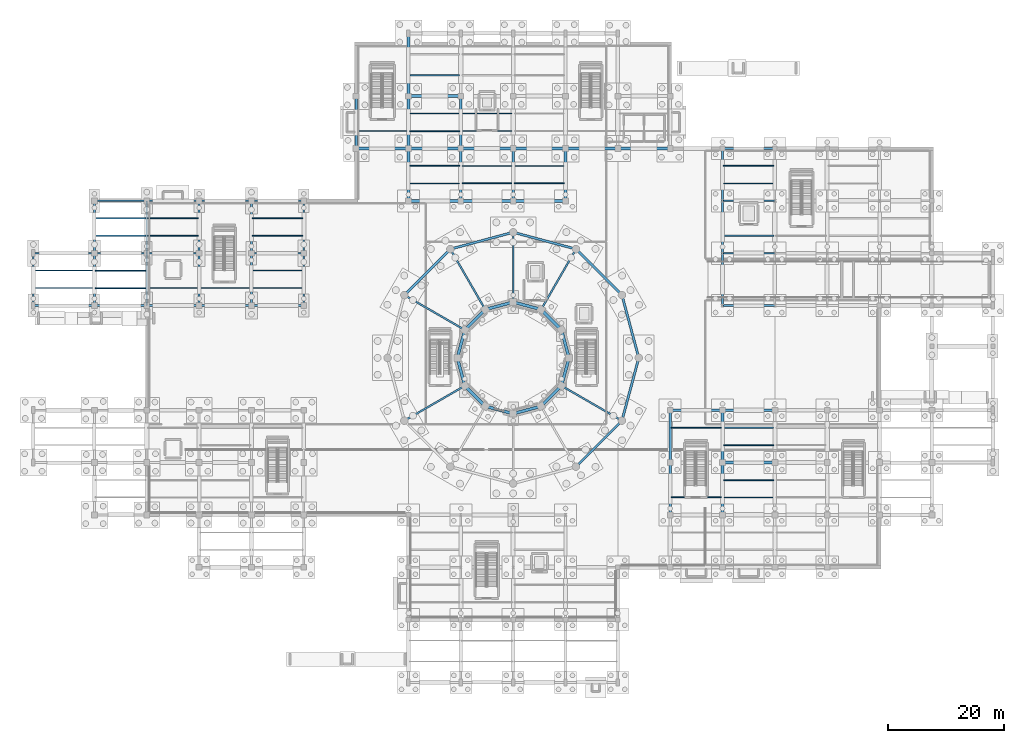
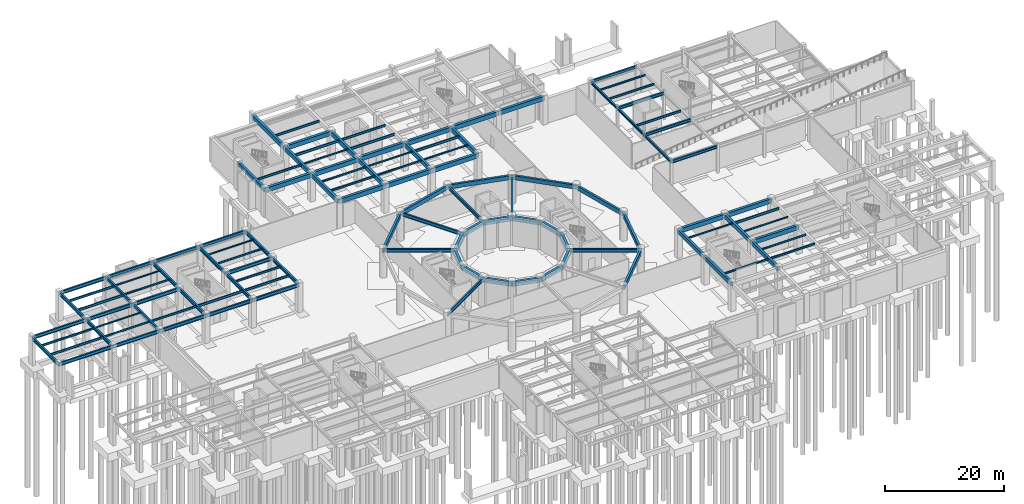
# One storey, part 14 of 36: 116 beams.
"""IFC4 building model written with IfcOpenShell, lengths in metres."""

import ifcopenshell
import ifcopenshell.guid

model = None  # the IFC model being written
_history = None  # IfcOwnerHistory: only IFC2X3 demands one
_inside = {}  # id of a spatial element -> (the spatial element, [elements in it])
_under = {}  # id of a project, library or spatial element -> (it, [spatial elements below it])
_declared = {}  # id of a project -> (the project, [libraries it declares])
_typed = {}  # id of a type object -> (the type object, [elements of that type])
_made_of = {}  # id of a material, layer set ... -> (it, [elements and type objects made of it])


def new_model(schema):
    """Start an empty IFC model of exactly this schema.

    Asked for "IFC4X3", IfcOpenShell would pick the latest addendum, in which some entities
    have other attributes; the version numbers below select the first issue.
    IFC2X3 requires an IfcOwnerHistory on every rooted entity: one is made here for all.
    """
    global model, _history
    if schema == "IFC4X3":
        model = ifcopenshell.file(schema_version=(4, 3, 0, 0))
    else:
        model = ifcopenshell.file(schema=schema)
    _inside.clear()
    _under.clear()
    _declared.clear()
    _typed.clear()
    _made_of.clear()
    _history = None
    if model.schema == "IFC2X3":
        org = make("IfcOrganization", Name="unknown")
        user = make(
            "IfcPersonAndOrganization",
            ThePerson=make("IfcPerson", FamilyName="unknown"),
            TheOrganization=org,
        )
        app = make(
            "IfcApplication",
            ApplicationDeveloper=org,
            Version="unknown",
            ApplicationFullName="unknown",
            ApplicationIdentifier="unknown",
        )
        _history = make(
            "IfcOwnerHistory",
            OwningUser=user,
            OwningApplication=app,
            ChangeAction="ADDED",
            CreationDate=0,
        )
    return model


def make(cls, **values):
    """One entity of the class cls with the attributes given. An attribute that is None is left unset."""
    return model.create_entity(
        cls, **{name: value for name, value in values.items() if value is not None}
    )


def rooted(cls, **values):
    """An entity with a GlobalId (a new one), such as an element, a storey or a relation."""
    return make(cls, GlobalId=ifcopenshell.guid.new(), OwnerHistory=_history, **values)


def si_unit(unit_type, name, prefix=None):
    """IfcSIUnit, for example si_unit("LENGTHUNIT", "METRE", prefix="MILLI")."""
    return make("IfcSIUnit", UnitType=unit_type, Prefix=prefix, Name=name)


def assignment(units):
    """IfcUnitAssignment: the units of a project."""
    return None if units is None else make("IfcUnitAssignment", Units=units)


def point(xyz):
    """IfcCartesianPoint."""
    return None if xyz is None else make("IfcCartesianPoint", Coordinates=xyz)


def direction(xyz):
    """IfcDirection."""
    return None if xyz is None else make("IfcDirection", DirectionRatios=xyz)


def frame(location, z_axis=None, x_axis=None):
    """IfcAxis2Placement3D, a coordinate frame: its origin and axes. An axis left out is left unset."""
    return make(
        "IfcAxis2Placement3D",
        Location=point(location),
        Axis=direction(z_axis),
        RefDirection=direction(x_axis),
    )


def frame_2d(location, x_axis=None):
    """IfcAxis2Placement2D, a coordinate frame in the plane: its origin and x axis."""
    return make(
        "IfcAxis2Placement2D", Location=point(location), RefDirection=direction(x_axis)
    )


def origin():
    """The frame at (0, 0, 0) with its axes left unset."""
    return frame((0.0, 0.0, 0.0))


def origin_2d():
    """The frame at (0, 0) in the plane with its x axis left unset."""
    return frame_2d((0.0, 0.0))


def place(relative_to, where):
    """IfcLocalPlacement: puts the frame where relative to a parent placement (None: the world)."""
    return make(
        "IfcLocalPlacement", PlacementRelTo=relative_to, RelativePlacement=where
    )


def context(
    kind, dimensions, precision=None, world=None, true_north=None, identifier=None
):
    """IfcGeometricRepresentationContext, for example the 3D "Model" context."""
    return make(
        "IfcGeometricRepresentationContext",
        ContextIdentifier=identifier,
        ContextType=kind,
        CoordinateSpaceDimension=dimensions,
        Precision=precision,
        WorldCoordinateSystem=world,
        TrueNorth=true_north,
    )


def subcontext(parent, identifier, kind, view, scale=None):
    """IfcGeometricRepresentationSubContext, for example "Body" below "Model"."""
    return make(
        "IfcGeometricRepresentationSubContext",
        ContextIdentifier=identifier,
        ContextType=kind,
        ParentContext=parent,
        TargetScale=scale,
        TargetView=view,
    )


def project(units=None, contexts=None):
    """IfcProject with its units and contexts."""
    return rooted(
        "IfcProject",
        Name="project",
        RepresentationContexts=contexts,
        UnitsInContext=assignment(units),
    )


def spatial(cls, under=None, at=None, **own):
    """A site, building, storey or space (cls), placed at a placement, below another one or the project."""
    s = rooted(cls, ObjectPlacement=at, **own)
    if under is not None:
        _under.setdefault(under.id(), (under, []))[1].append(s)
    return s


def profile(cls, at=None, kind="AREA", **sizes):
    """A parametric profile (cls). Its sizes go by their IFC names, for example OverallWidth=200.0."""
    return make(cls, ProfileType=kind, Position=at, **sizes)


def rectangle(**sizes):
    """IfcRectangleProfileDef."""
    return profile("IfcRectangleProfileDef", **sizes)


def i_section(**sizes):
    """IfcIShapeProfileDef."""
    return profile("IfcIShapeProfileDef", **sizes)


def extrude(swept, where, along, depth):
    """IfcExtrudedAreaSolid: the profile swept, set in the frame where, extruded along a direction by depth."""
    return make(
        "IfcExtrudedAreaSolid",
        SweptArea=swept,
        Position=where,
        ExtrudedDirection=direction(along),
        Depth=depth,
    )


def shape(context_of_items, identifier, shape_type, items):
    """IfcShapeRepresentation: the items that make up one representation, for example the "Body"."""
    return make(
        "IfcShapeRepresentation",
        ContextOfItems=context_of_items,
        RepresentationIdentifier=identifier,
        RepresentationType=shape_type,
        Items=items,
    )


def material(Name=None, Category=None):
    """IfcMaterial."""
    return make("IfcMaterial", Name=Name, Category=Category)


def material_profile(
    of_material, cross_section, Name=None, Category=None, Priority=None
):
    """IfcMaterialProfile: a cross section and its material."""
    return make(
        "IfcMaterialProfile",
        Name=Name,
        Material=of_material,
        Profile=cross_section,
        Priority=Priority,
        Category=Category,
    )


def profile_set(profiles, Name=None, composite=None):
    """IfcMaterialProfileSet."""
    return make(
        "IfcMaterialProfileSet",
        Name=Name,
        MaterialProfiles=profiles,
        CompositeProfile=composite,
    )


def made_of(thing, what):
    """Note that an element or type object is made of a material, layer set ...; save() writes the relation."""
    if what is not None:
        _made_of.setdefault(what.id(), (what, []))[1].append(thing)
    return thing


def type_object(cls, material=None, **own):
    """A type object (cls), such as IfcWallType, which elements share."""
    return made_of(rooted(cls, **own), material)


def element(
    cls,
    number,
    at=None,
    inside=None,
    cuts=None,
    type_object=None,
    material=None,
    context=None,
    identifier="Body",
    shape_type=None,
    held_by="IfcProductDefinitionShape",
    body=None,
    shapes=None,
    **own,
):
    """One element of the class cls, such as IfcWall. Its Tag is "e" and its number.

    at: its placement. inside: the storey or other place that contains it. cuts: it is an
    opening in that element (IfcRelVoidsElement). A single representation is given by context,
    identifier, shape_type and body (its items); several are given by shapes. held_by: the class
    of the entity that holds the representations. save() writes the other relations.
    """
    e = rooted(cls, Tag="e%d" % number, ObjectPlacement=at, **own)
    if body is not None:
        shapes = [shape(context, identifier, shape_type, body)]
    if shapes is not None:
        e.Representation = make(held_by, Representations=shapes)
    if inside is not None:
        _inside.setdefault(inside.id(), (inside, []))[1].append(e)
    if cuts is not None:
        rooted(
            "IfcRelVoidsElement", RelatingBuildingElement=cuts, RelatedOpeningElement=e
        )
    if type_object is not None:
        _typed.setdefault(type_object.id(), (type_object, []))[1].append(e)
    return made_of(e, material)


def aggregate(whole, parts):
    """IfcRelAggregates: a whole, such as a stair, and the parts it consists of."""
    return rooted("IfcRelAggregates", RelatingObject=whole, RelatedObjects=parts)


def save(model, path):
    """Write the relations noted so far, then the file.

    IfcRelAggregates (storeys below a building ...), IfcRelContainedInSpatialStructure (elements
    in a storey), IfcRelDefinesByType, IfcRelAssociatesMaterial and IfcRelDeclares: one each for
    every whole, place, type object, material and project.
    """
    for whole, parts in _under.values():
        aggregate(whole, parts)
    for where, things in _inside.values():
        rooted(
            "IfcRelContainedInSpatialStructure",
            RelatedElements=things,
            RelatingStructure=where,
        )
    for kind, things in _typed.values():
        rooted("IfcRelDefinesByType", RelatedObjects=things, RelatingType=kind)
    for what, things in _made_of.values():
        rooted("IfcRelAssociatesMaterial", RelatedObjects=things, RelatingMaterial=what)
    for by, libraries in _declared.values():
        rooted("IfcRelDeclares", RelatingContext=by, RelatedDefinitions=libraries)
    model.write(path)


model = new_model("IFC4")

# Units and contexts
model_context = context("Model", 3, precision=1e-05, world=origin(), true_north=direction((0.0, 1.0)))
body_context = subcontext(model_context, "Body", "Model", "MODEL_VIEW")
ifc_project = project(units=[si_unit("LENGTHUNIT", "METRE"), si_unit("AREAUNIT", "SQUARE_METRE"), si_unit("VOLUMEUNIT", "CUBIC_METRE"), si_unit("PLANEANGLEUNIT", "RADIAN"), si_unit("MASSUNIT", "GRAM", prefix="KILO")], contexts=[model_context])

# Site, building, storey
site_placement = place(None, origin())
site = spatial("IfcSite", under=ifc_project, at=site_placement, CompositionType="ELEMENT")
building_placement = place(site_placement, origin())
building = spatial("IfcBuilding", under=site, at=building_placement, Name="Haizhuo Lancet Aquarium", CompositionType="ELEMENT")
storey_placement = place(building_placement, frame((0.0, 0.0, -6.0)))
storey = spatial("IfcBuildingStorey", under=building, at=storey_placement, Name="B1", CompositionType="ELEMENT", Elevation=-6.0)

# Beams
ifc_material_1 = material(Name="Concrete C40/50", Category="concrete")
ifc_material_profile_1 = material_profile(ifc_material_1, rectangle(XDim=0.449951171875, YDim=0.85009765625, at=origin_2d()), Name="RC-BM 450x850")
ifc_profile_set_1 = profile_set([ifc_material_profile_1], Name="Concrete C40/50")
beam_type_1 = type_object("IfcBeamType", Name="BM-RC-450x850", PredefinedType="BEAM", material=ifc_profile_set_1)
for number, where, z_axis, x_axis, name in (
    (1, (27.0, -27.0, 5.27490234375), (0.0, 1.0, 0.0), (-1.0, 0.0, 0.0), "B1 V3 primary girder BM-B1-V3-003"),
    (2, (27.0, -18.0, 5.27490234375), (0.0, 1.0, 0.0), (-1.0, 0.0, 0.0), "B1 V3 primary girder BM-B1-V3-005"),
    (3, (36.0, -27.0, 5.27490234375), (0.0, 1.0, 0.0), (-1.0, 0.0, 0.0), "B1 V3 primary girder BM-B1-V3-009"),
    (4, (36.0, -18.0, 5.27490234375), (0.0, 1.0, 0.0), (-1.0, 0.0, 0.0), "B1 V3 primary girder BM-B1-V3-011"),
    (5, (-27.0, 36.0, 5.27490234375), (0.0, 1.0, 0.0), (-1.0, 0.0, 0.0), "B1 V5 primary girder BM-B1-V5-001"),
    (6, (-18.0, 27.0, 5.27490234375), (0.0, 1.0, 0.0), (-1.0, 0.0, 0.0), "B1 V5 primary girder BM-B1-V5-003"),
    (7, (-18.0, 36.0, 5.27490234375), (0.0, 1.0, 0.0), (-1.0, 0.0, 0.0), "B1 V5 primary girder BM-B1-V5-005"),
):
    element("IfcBeam", number, at=place(storey_placement, frame(where, z_axis=z_axis, x_axis=x_axis)), inside=storey, type_object=beam_type_1, Name=name, PredefinedType="BEAM", context=body_context, shape_type="SweptSolid", body=[
        extrude(rectangle(XDim=0.449951171875, YDim=0.85009765625, at=origin_2d()), origin(), (0.0, 0.0, 1.0), 9.0),
    ])
beam_1_placement = place(storey_placement, frame((-18.0, 45.0, 5.27490234375), z_axis=(0.0, 1.0, 0.0), x_axis=(-1.0, 0.0, 0.0)))
element("IfcBeam", 8, at=beam_1_placement, inside=storey, type_object=beam_type_1, Name="B1 V5 primary girder BM-B1-V5-007", PredefinedType="BEAM", context=body_context, shape_type="SweptSolid", body=[
    extrude(rectangle(XDim=0.449951171875, YDim=0.85009765625, at=origin_2d()), origin(), (0.0, 0.0, 1.0), 10.800048828125),
])
for number, where, z_axis, x_axis, name in (
    (9, (-9.0, 27.0, 5.27490234375), (0.0, 1.0, 0.0), (-1.0, 0.0, 0.0), "B1 V5 primary girder BM-B1-V5-010"),
    (10, (-9.0, 36.0, 5.27490234375), (0.0, 1.0, 0.0), (-1.0, 0.0, 0.0), "B1 V5 primary girder BM-B1-V5-012"),
    (11, (0.0, 27.0, 5.27490234375), (0.0, 1.0, 0.0), (-1.0, 0.0, 0.0), "B1 V5 primary girder BM-B1-V5-016"),
    (12, (9.0, 27.0, 5.27490234375), (0.0, 1.0, 0.0), (-1.0, 0.0, 0.0), "B1 V5 primary girder BM-B1-V5-023"),
):
    element("IfcBeam", number, at=place(storey_placement, frame(where, z_axis=z_axis, x_axis=x_axis)), inside=storey, type_object=beam_type_1, Name=name, PredefinedType="BEAM", context=body_context, shape_type="SweptSolid", body=[
        extrude(rectangle(XDim=0.449951171875, YDim=0.85009765625, at=origin_2d()), origin(), (0.0, 0.0, 1.0), 9.0),
    ])
ifc_material_profile_2 = material_profile(ifc_material_1, rectangle(XDim=0.5, YDim=0.89990234375, at=origin_2d()), Name="RC-BM 500x900")
ifc_profile_set_2 = profile_set([ifc_material_profile_2], Name="Concrete C40/50")
beam_type_2 = type_object("IfcBeamType", Name="BM-RC-500x900", PredefinedType="BEAM", material=ifc_profile_set_2)
for number, where, z_axis, x_axis, name in (
    (13, (9.60009765625, 0.0, 5.14990234375), (-0.258812211902, 0.965927657214, 0.0), (-0.965927657214, -0.258812211902, 0.0), "B1 tank ring beam 1"),
    (14, (8.31396484375, 4.800048828125, 5.14990234375), (-0.707106781187, 0.707106781187, 0.0), (-0.707106781187, -0.707106781187, 0.0), "B1 tank ring beam 2"),
    (15, (4.800048828125, 8.31396484375, 5.14990234375), (-0.965927657214, 0.258812211902, 0.0), (-0.258812211902, -0.965927657214, 0.0), "B1 tank ring beam 3"),
    (16, (0.0, 9.60009765625, 5.14990234375), (-0.965927657214, -0.258812211902, 0.0), (0.258812211902, -0.965927657214, 0.0), "B1 tank ring beam 4"),
    (17, (-4.800048828125, 8.31396484375, 5.14990234375), (-0.707106781187, -0.707106781187, 0.0), (0.707106781187, -0.707106781187, 0.0), "B1 tank ring beam 5"),
    (18, (-8.31396484375, 4.800048828125, 5.14990234375), (-0.258812211902, -0.965927657214, 0.0), (0.965927657214, -0.258812211902, 0.0), "B1 tank ring beam 6"),
    (19, (-9.60009765625, 0.0, 5.14990234375), (0.258812211902, -0.965927657214, 0.0), (0.965927657214, 0.258812211902, 0.0), "B1 tank ring beam 7"),
    (20, (-8.31396484375, -4.800048828125, 5.14990234375), (0.707106781187, -0.707106781187, 0.0), (0.707106781187, 0.707106781187, 0.0), "B1 tank ring beam 8"),
    (21, (-4.800048828125, -8.31396484375, 5.14990234375), (0.965927657214, -0.258812211902, 0.0), (0.258812211902, 0.965927657214, 0.0), "B1 tank ring beam 9"),
    (22, (0.0, -9.60009765625, 5.14990234375), (0.965927657214, 0.258812211902, 0.0), (-0.258812211902, 0.965927657214, 0.0), "B1 tank ring beam 10"),
    (23, (4.800048828125, -8.31396484375, 5.14990234375), (0.707106781187, 0.707106781187, 0.0), (-0.707106781187, 0.707106781187, 0.0), "B1 tank ring beam 11"),
    (24, (8.31396484375, -4.800048828125, 5.14990234375), (0.258812211902, 0.965927657214, 0.0), (-0.965927657214, 0.258812211902, 0.0), "B1 tank ring beam 12"),
):
    element("IfcBeam", number, at=place(storey_placement, frame(where, z_axis=z_axis, x_axis=x_axis)), inside=storey, type_object=beam_type_2, Name=name, PredefinedType="BEAM", context=body_context, shape_type="SweptSolid", body=[
        extrude(rectangle(XDim=0.5, YDim=0.89990234375, at=origin_2d()), origin(), (0.0, 0.0, 1.0), 4.969482421875),
    ])
for number, where, z_axis, x_axis, name in (
    (25, (27.0, -9.0, 5.25), (1.0, 0.0, 0.0), (0.0, 1.0, 0.0), "B1 V3 primary girder BM-B1-V3-006"),
    (26, (36.0, -18.0, 5.25), (1.0, 0.0, 0.0), (0.0, 1.0, 0.0), "B1 V3 primary girder BM-B1-V3-012"),
    (27, (36.0, -9.0, 5.25), (1.0, 0.0, 0.0), (0.0, 1.0, 0.0), "B1 V3 primary girder BM-B1-V3-013"),
    (28, (-27.0, 36.0, 5.25), (1.0, 0.0, 0.0), (0.0, 1.0, 0.0), "B1 V5 primary girder BM-B1-V5-002"),
    (29, (-18.0, 27.0, 5.25), (1.0, 0.0, 0.0), (0.0, 1.0, 0.0), "B1 V5 primary girder BM-B1-V5-004"),
    (30, (-18.0, 36.0, 5.25), (1.0, 0.0, 0.0), (0.0, 1.0, 0.0), "B1 V5 primary girder BM-B1-V5-006"),
    (31, (-18.0, 45.0, 5.25), (1.0, 0.0, 0.0), (0.0, 1.0, 0.0), "B1 V5 primary girder BM-B1-V5-008"),
    (32, (-9.0, 27.0, 5.25), (1.0, 0.0, 0.0), (0.0, 1.0, 0.0), "B1 V5 primary girder BM-B1-V5-011"),
    (33, (-9.0, 36.0, 5.25), (1.0, 0.0, 0.0), (0.0, 1.0, 0.0), "B1 V5 primary girder BM-B1-V5-013"),
    (34, (0.0, 27.0, 5.25), (1.0, 0.0, 0.0), (0.0, 1.0, 0.0), "B1 V5 primary girder BM-B1-V5-017"),
    (35, (0.0, 36.0, 5.25), (1.0, 0.0, 0.0), (0.0, 1.0, 0.0), "B1 V5 primary girder BM-B1-V5-019"),
    (36, (9.0, 36.0, 5.25), (1.0, 0.0, 0.0), (0.0, 1.0, 0.0), "B1 V5 primary girder BM-B1-V5-025"),
    (37, (18.0, 36.0, 5.25), (1.0, 0.0, 0.0), (0.0, 1.0, 0.0), "B1 V5 primary girder BM-B1-V5-029"),
):
    element("IfcBeam", number, at=place(storey_placement, frame(where, z_axis=z_axis, x_axis=x_axis)), inside=storey, type_object=beam_type_2, Name=name, PredefinedType="BEAM", context=body_context, shape_type="SweptSolid", body=[
        extrude(rectangle(XDim=0.5, YDim=0.89990234375, at=origin_2d()), origin(), (0.0, 0.0, 1.0), 9.0),
    ])
ifc_material_2 = material(Name="Steel S355", Category="steel")
ifc_material_profile_3 = material_profile(ifc_material_2, i_section(OverallWidth=0.300048828125, OverallDepth=0.488037109375, WebThickness=0.010986328125, FlangeThickness=0.01806640625, FilletRadius=0.02392578125, at=origin_2d()), Name="HM 488x300x11x18")
ifc_profile_set_3 = profile_set([ifc_material_profile_3], Name="Steel S355")
beam_type_3 = type_object("IfcBeamType", Name="BM-ST-HM488", PredefinedType="BEAM", material=ifc_profile_set_3)
for number, where, z_axis, x_axis, name in (
    (38, (36.0, 9.0, 5.35595703125), (0.0, 1.0, 0.0), (-1.0, 0.0, 0.0), "B1 V7 primary girder BM-B1-V7-001"),
    (39, (36.0, 18.0, 5.35595703125), (0.0, 1.0, 0.0), (-1.0, 0.0, 0.0), "B1 V7 primary girder BM-B1-V7-003"),
    (40, (36.0, 27.0, 5.35595703125), (0.0, 1.0, 0.0), (-1.0, 0.0, 0.0), "B1 V7 primary girder BM-B1-V7-005"),
):
    element("IfcBeam", number, at=place(storey_placement, frame(where, z_axis=z_axis, x_axis=x_axis)), inside=storey, type_object=beam_type_3, Name=name, PredefinedType="BEAM", context=body_context, shape_type="SweptSolid", body=[
        extrude(i_section(OverallWidth=0.300048828125, OverallDepth=0.488037109375, WebThickness=0.010986328125, FlangeThickness=0.01806640625, FilletRadius=0.02392578125, at=origin_2d()), origin(), (0.0, 0.0, 1.0), 9.0),
    ])
ifc_material_profile_4 = material_profile(ifc_material_2, i_section(OverallWidth=0.300048828125, OverallDepth=0.587890625, WebThickness=0.011962890625, FlangeThickness=0.02001953125, FilletRadius=0.02587890625, at=origin_2d()), Name="HM 588x300x12x20")
ifc_profile_set_4 = profile_set([ifc_material_profile_4], Name="Steel S355")
beam_type_4 = type_object("IfcBeamType", Name="BM-ST-HM588", PredefinedType="BEAM", material=ifc_profile_set_4)
for number, where, z_axis, x_axis, name in (
    (41, (36.0, 9.0, 5.305908203125), (1.0, 0.0, 0.0), (0.0, 1.0, 0.0), "B1 V7 primary girder BM-B1-V7-002"),
    (42, (36.0, 18.0, 5.305908203125), (1.0, 0.0, 0.0), (0.0, 1.0, 0.0), "B1 V7 primary girder BM-B1-V7-004"),
    (43, (36.0, 27.0, 5.305908203125), (1.0, 0.0, 0.0), (0.0, 1.0, 0.0), "B1 V7 primary girder BM-B1-V7-006"),
    (44, (36.0, 36.0, 5.305908203125), (1.0, 0.0, 0.0), (0.0, 1.0, 0.0), "B1 V7 primary girder BM-B1-V7-007"),
):
    element("IfcBeam", number, at=place(storey_placement, frame(where, z_axis=z_axis, x_axis=x_axis)), inside=storey, type_object=beam_type_4, Name=name, PredefinedType="BEAM", context=body_context, shape_type="SweptSolid", body=[
        extrude(i_section(OverallWidth=0.300048828125, OverallDepth=0.587890625, WebThickness=0.011962890625, FlangeThickness=0.02001953125, FilletRadius=0.02587890625, at=origin_2d()), origin(), (0.0, 0.0, 1.0), 9.0),
    ])
ifc_material_profile_5 = material_profile(ifc_material_2, i_section(OverallWidth=0.300048828125, OverallDepth=0.699951171875, WebThickness=0.012939453125, FlangeThickness=0.02392578125, FilletRadius=0.02587890625, at=origin_2d()), Name="HN 700x300x13x24")
ifc_profile_set_5 = profile_set([ifc_material_profile_5], Name="Steel S355")
beam_type_5 = type_object("IfcBeamType", Name="BM-ST-HN700", PredefinedType="BEAM", material=ifc_profile_set_5)
beam_2_placement = place(storey_placement, frame((4.800048828125, 8.31396484375, 5.25), z_axis=(0.500007758305, 0.866020924479, 0.0), x_axis=(-0.866020924479, 0.500007758305, 0.0)))
element("IfcBeam", 45, at=beam_2_placement, inside=storey, type_object=beam_type_5, Name="B1 radial gallery girder 3", PredefinedType="BEAM", context=body_context, shape_type="SweptSolid", body=[
    extrude(i_section(OverallWidth=0.300048828125, OverallDepth=0.699951171875, WebThickness=0.012939453125, FlangeThickness=0.02392578125, FilletRadius=0.02587890625, at=origin_2d()), origin(), (0.0, 0.0, 1.0), 11.999755859375),
])
beam_3_placement = place(storey_placement, frame((0.0, 9.60009765625, 5.25), z_axis=(0.0, 1.0, 0.0), x_axis=(-1.0, 0.0, 0.0)))
element("IfcBeam", 46, at=beam_3_placement, inside=storey, type_object=beam_type_5, Name="B1 radial gallery girder 4", PredefinedType="BEAM", context=body_context, shape_type="SweptSolid", body=[
    extrude(i_section(OverallWidth=0.300048828125, OverallDepth=0.699951171875, WebThickness=0.012939453125, FlangeThickness=0.02392578125, FilletRadius=0.02587890625, at=origin_2d()), origin(), (0.0, 0.0, 1.0), 12.0),
])
for number, where, z_axis, x_axis, name in (
    (47, (-4.800048828125, 8.31396484375, 5.25), (-0.500007758305, 0.866020924479, 0.0), (-0.866020924479, -0.500007758305, 0.0), "B1 radial gallery girder 5"),
    (48, (-8.31396484375, 4.800048828125, 5.25), (-0.866020924479, 0.500007758305, 0.0), (-0.500007758305, -0.866020924479, 0.0), "B1 radial gallery girder 6"),
    (49, (-8.31396484375, -4.800048828125, 5.25), (-0.866020924479, -0.500007758305, 0.0), (0.500007758305, -0.866020924479, 0.0), "B1 radial gallery girder 8"),
    (50, (8.31396484375, -4.800048828125, 5.25), (0.866020924479, -0.500007758305, 0.0), (0.500007758305, 0.866020924479, 0.0), "B1 radial gallery girder 12"),
):
    element("IfcBeam", number, at=place(storey_placement, frame(where, z_axis=z_axis, x_axis=x_axis)), inside=storey, type_object=beam_type_5, Name=name, PredefinedType="BEAM", context=body_context, shape_type="SweptSolid", body=[
        extrude(i_section(OverallWidth=0.300048828125, OverallDepth=0.699951171875, WebThickness=0.012939453125, FlangeThickness=0.02392578125, FilletRadius=0.02587890625, at=origin_2d()), origin(), (0.0, 0.0, 1.0), 11.999755859375),
    ])
beam_4_placement = place(storey_placement, frame((-82.5, 9.0, 5.35009765625), z_axis=(0.0, 1.0, 0.0), x_axis=(-1.0, 0.0, 0.0)))
element("IfcBeam", 51, at=beam_4_placement, inside=storey, type_object=beam_type_5, Name="B1 V2 primary girder BM-B1-V2-001", PredefinedType="BEAM", context=body_context, shape_type="SweptSolid", body=[
    extrude(i_section(OverallWidth=0.300048828125, OverallDepth=0.699951171875, WebThickness=0.012939453125, FlangeThickness=0.02392578125, FilletRadius=0.02587890625, at=origin_2d()), origin(), (0.0, 0.0, 1.0), 9.0),
])
for number, where, z_axis, x_axis, name in (
    (52, (-82.5, 9.0, 5.35009765625), (1.0, 0.0, 0.0), (0.0, 1.0, 0.0), "B1 V2 primary girder BM-B1-V2-002"),
    (53, (-82.5, 18.0, 5.35009765625), (1.0, 0.0, 0.0), (0.0, 1.0, 0.0), "B1 V2 primary girder BM-B1-V2-003"),
):
    element("IfcBeam", number, at=place(storey_placement, frame(where, z_axis=z_axis, x_axis=x_axis)), inside=storey, type_object=beam_type_5, Name=name, PredefinedType="BEAM", context=body_context, shape_type="SweptSolid", body=[
        extrude(i_section(OverallWidth=0.300048828125, OverallDepth=0.699951171875, WebThickness=0.012939453125, FlangeThickness=0.02392578125, FilletRadius=0.02587890625, at=origin_2d()), origin(), (0.0, 0.0, 1.0), 10.5),
    ])
for number, where, z_axis, x_axis, name in (
    (54, (-72.0, 9.0, 5.35009765625), (0.0, 1.0, 0.0), (-1.0, 0.0, 0.0), "B1 V2 primary girder BM-B1-V2-004"),
    (55, (-72.0, 9.0, 5.35009765625), (1.0, 0.0, 0.0), (0.0, 1.0, 0.0), "B1 V2 primary girder BM-B1-V2-005"),
    (56, (-72.0, 18.0, 5.35009765625), (0.0, 1.0, 0.0), (-1.0, 0.0, 0.0), "B1 V2 primary girder BM-B1-V2-006"),
    (57, (-72.0, 18.0, 5.35009765625), (1.0, 0.0, 0.0), (0.0, 1.0, 0.0), "B1 V2 primary girder BM-B1-V2-007"),
    (58, (-72.0, 27.0, 5.35009765625), (1.0, 0.0, 0.0), (0.0, 1.0, 0.0), "B1 V2 primary girder BM-B1-V2-008"),
    (59, (-63.0, 9.0, 5.35009765625), (0.0, 1.0, 0.0), (-1.0, 0.0, 0.0), "B1 V2 primary girder BM-B1-V2-009"),
    (60, (-63.0, 9.0, 5.35009765625), (1.0, 0.0, 0.0), (0.0, 1.0, 0.0), "B1 V2 primary girder BM-B1-V2-010"),
    (61, (-63.0, 18.0, 5.35009765625), (0.0, 1.0, 0.0), (-1.0, 0.0, 0.0), "B1 V2 primary girder BM-B1-V2-011"),
    (62, (-63.0, 18.0, 5.35009765625), (1.0, 0.0, 0.0), (0.0, 1.0, 0.0), "B1 V2 primary girder BM-B1-V2-012"),
    (63, (-63.0, 27.0, 5.35009765625), (1.0, 0.0, 0.0), (0.0, 1.0, 0.0), "B1 V2 primary girder BM-B1-V2-013"),
    (64, (-54.0, 9.0, 5.35009765625), (0.0, 1.0, 0.0), (-1.0, 0.0, 0.0), "B1 V2 primary girder BM-B1-V2-014"),
    (65, (-54.0, 9.0, 5.35009765625), (1.0, 0.0, 0.0), (0.0, 1.0, 0.0), "B1 V2 primary girder BM-B1-V2-015"),
    (66, (-54.0, 18.0, 5.35009765625), (0.0, 1.0, 0.0), (-1.0, 0.0, 0.0), "B1 V2 primary girder BM-B1-V2-016"),
    (67, (-54.0, 27.0, 5.35009765625), (1.0, 0.0, 0.0), (0.0, 1.0, 0.0), "B1 V2 primary girder BM-B1-V2-017"),
    (68, (-45.0, 9.0, 5.35009765625), (0.0, 1.0, 0.0), (-1.0, 0.0, 0.0), "B1 V2 primary girder BM-B1-V2-018"),
    (69, (-45.0, 9.0, 5.35009765625), (1.0, 0.0, 0.0), (0.0, 1.0, 0.0), "B1 V2 primary girder BM-B1-V2-019"),
    (70, (-45.0, 18.0, 5.35009765625), (0.0, 1.0, 0.0), (-1.0, 0.0, 0.0), "B1 V2 primary girder BM-B1-V2-020"),
    (71, (-45.0, 18.0, 5.35009765625), (1.0, 0.0, 0.0), (0.0, 1.0, 0.0), "B1 V2 primary girder BM-B1-V2-021"),
    (72, (-45.0, 27.0, 5.35009765625), (1.0, 0.0, 0.0), (0.0, 1.0, 0.0), "B1 V2 primary girder BM-B1-V2-022"),
    (73, (-36.0, 9.0, 5.35009765625), (0.0, 1.0, 0.0), (-1.0, 0.0, 0.0), "B1 V2 primary girder BM-B1-V2-023"),
    (74, (-36.0, 18.0, 5.35009765625), (0.0, 1.0, 0.0), (-1.0, 0.0, 0.0), "B1 V2 primary girder BM-B1-V2-024"),
):
    element("IfcBeam", number, at=place(storey_placement, frame(where, z_axis=z_axis, x_axis=x_axis)), inside=storey, type_object=beam_type_5, Name=name, PredefinedType="BEAM", context=body_context, shape_type="SweptSolid", body=[
        extrude(i_section(OverallWidth=0.300048828125, OverallDepth=0.699951171875, WebThickness=0.012939453125, FlangeThickness=0.02392578125, FilletRadius=0.02587890625, at=origin_2d()), origin(), (0.0, 0.0, 1.0), 9.0),
    ])
ifc_material_profile_6 = material_profile(ifc_material_2, i_section(OverallWidth=0.14990234375, OverallDepth=0.300048828125, WebThickness=0.006591796875, FlangeThickness=0.009033203125, FilletRadius=0.012939453125, at=origin_2d()), Name="HN 300x150x6.5x9")
ifc_profile_set_6 = profile_set([ifc_material_profile_6], Name="Steel S355")
beam_type_6 = type_object("IfcBeamType", Name="JST-ST-HN300", PredefinedType="JOIST", material=ifc_profile_set_6)
for number, where, z_axis, x_axis, name in (
    (75, (-71.85009765625, 15.0, 5.550048828125), (1.0, 0.0, 0.0), (0.0, 1.0, 0.0), "B1 V2 secondary floor joist 4"),
    (76, (-62.85009765625, 24.0, 5.550048828125), (1.0, 0.0, 0.0), (0.0, 1.0, 0.0), "B1 V2 secondary floor joist 9"),
    (77, (-44.85009765625, 24.0, 5.550048828125), (1.0, 0.0, 0.0), (0.0, 1.0, 0.0), "B1 V2 secondary floor joist 14"),
):
    element("IfcBeam", number, at=place(storey_placement, frame(where, z_axis=z_axis, x_axis=x_axis)), inside=storey, type_object=beam_type_6, Name=name, PredefinedType="JOIST", context=body_context, shape_type="SweptSolid", body=[
        extrude(i_section(OverallWidth=0.14990234375, OverallDepth=0.300048828125, WebThickness=0.006591796875, FlangeThickness=0.009033203125, FilletRadius=0.012939453125, at=origin_2d()), origin(), (0.0, 0.0, 1.0), 8.7001953125),
    ])
for number, where, z_axis, x_axis, name in (
    (78, (27.22509765625, -12.0, 5.550048828125), (1.0, 0.0, 0.0), (0.0, 1.0, 0.0), "B1 V3 secondary floor joist 4"),
    (79, (36.22509765625, -15.0, 5.550048828125), (1.0, 0.0, 0.0), (0.0, 1.0, 0.0), "B1 V3 secondary floor joist 9"),
    (80, (-17.77490234375, 39.0, 5.550048828125), (1.0, 0.0, 0.0), (0.0, 1.0, 0.0), "B1 V5 secondary floor joist 4"),
    (81, (-8.77490234375, 33.0, 5.550048828125), (1.0, 0.0, 0.0), (0.0, 1.0, 0.0), "B1 V5 secondary floor joist 9"),
    (82, (0.22509765625, 30.0, 5.550048828125), (1.0, 0.0, 0.0), (0.0, 1.0, 0.0), "B1 V5 secondary floor joist 14"),
):
    element("IfcBeam", number, at=place(storey_placement, frame(where, z_axis=z_axis, x_axis=x_axis)), inside=storey, type_object=beam_type_6, Name=name, PredefinedType="JOIST", context=body_context, shape_type="SweptSolid", body=[
        extrude(i_section(OverallWidth=0.14990234375, OverallDepth=0.300048828125, WebThickness=0.006591796875, FlangeThickness=0.009033203125, FilletRadius=0.012939453125, at=origin_2d()), origin(), (0.0, 0.0, 1.0), 8.5498046875),
    ])
ifc_material_profile_7 = material_profile(ifc_material_2, i_section(OverallWidth=0.175048828125, OverallDepth=0.35009765625, WebThickness=0.007080078125, FlangeThickness=0.010986328125, FilletRadius=0.013916015625, at=origin_2d()), Name="HN 350x175x7x11")
ifc_profile_set_7 = profile_set([ifc_material_profile_7], Name="Steel S355")
beam_type_7 = type_object("IfcBeamType", Name="JST-ST-HN350", PredefinedType="JOIST", material=ifc_profile_set_7)
for number, where, z_axis, x_axis, name in (
    (83, (-71.85009765625, 12.0, 5.52490234375), (1.0, 0.0, 0.0), (0.0, 1.0, 0.0), "B1 V2 secondary floor joist 3"),
    (84, (-62.85009765625, 21.0, 5.52490234375), (1.0, 0.0, 0.0), (0.0, 1.0, 0.0), "B1 V2 secondary floor joist 8"),
    (85, (-44.85009765625, 21.0, 5.52490234375), (1.0, 0.0, 0.0), (0.0, 1.0, 0.0), "B1 V2 secondary floor joist 13"),
):
    element("IfcBeam", number, at=place(storey_placement, frame(where, z_axis=z_axis, x_axis=x_axis)), inside=storey, type_object=beam_type_7, Name=name, PredefinedType="JOIST", context=body_context, shape_type="SweptSolid", body=[
        extrude(i_section(OverallWidth=0.175048828125, OverallDepth=0.35009765625, WebThickness=0.007080078125, FlangeThickness=0.010986328125, FilletRadius=0.013916015625, at=origin_2d()), origin(), (0.0, 0.0, 1.0), 8.7001953125),
    ])
for number, where, z_axis, x_axis, name in (
    (86, (27.22509765625, -24.0, 5.52490234375), (1.0, 0.0, 0.0), (0.0, 1.0, 0.0), "B1 V3 secondary floor joist 3"),
    (87, (36.22509765625, -21.0, 5.52490234375), (1.0, 0.0, 0.0), (0.0, 1.0, 0.0), "B1 V3 secondary floor joist 8"),
    (88, (-17.77490234375, 33.0, 5.52490234375), (1.0, 0.0, 0.0), (0.0, 1.0, 0.0), "B1 V5 secondary floor joist 3"),
    (89, (-8.77490234375, 30.0, 5.52490234375), (1.0, 0.0, 0.0), (0.0, 1.0, 0.0), "B1 V5 secondary floor joist 8"),
):
    element("IfcBeam", number, at=place(storey_placement, frame(where, z_axis=z_axis, x_axis=x_axis)), inside=storey, type_object=beam_type_7, Name=name, PredefinedType="JOIST", context=body_context, shape_type="SweptSolid", body=[
        extrude(i_section(OverallWidth=0.175048828125, OverallDepth=0.35009765625, WebThickness=0.007080078125, FlangeThickness=0.010986328125, FilletRadius=0.013916015625, at=origin_2d()), origin(), (0.0, 0.0, 1.0), 8.5498046875),
    ])
beam_5_placement = place(storey_placement, frame((36.14990234375, 33.0, 5.425048828125), z_axis=(1.0, 0.0, 0.0), x_axis=(0.0, 1.0, 0.0)))
element("IfcBeam", 90, at=beam_5_placement, inside=storey, type_object=beam_type_7, Name="B1 V7 secondary floor joist 3", PredefinedType="JOIST", context=body_context, shape_type="SweptSolid", body=[
    extrude(i_section(OverallWidth=0.175048828125, OverallDepth=0.35009765625, WebThickness=0.007080078125, FlangeThickness=0.010986328125, FilletRadius=0.013916015625, at=origin_2d()), origin(), (0.0, 0.0, 1.0), 8.7001953125),
])
ifc_material_profile_8 = material_profile(ifc_material_2, i_section(OverallWidth=0.199951171875, OverallDepth=0.39990234375, WebThickness=0.008056640625, FlangeThickness=0.012939453125, FilletRadius=0.01611328125, at=origin_2d()), Name="HN 400x200x8x13")
ifc_profile_set_8 = profile_set([ifc_material_profile_8], Name="Steel S355")
beam_type_8 = type_object("IfcBeamType", Name="JST-ST-HN400", PredefinedType="JOIST", material=ifc_profile_set_8)
beam_6_placement = place(storey_placement, frame((-82.35009765625, 15.0, 5.5), z_axis=(1.0, 0.0, 0.0), x_axis=(0.0, 1.0, 0.0)))
element("IfcBeam", 91, at=beam_6_placement, inside=storey, type_object=beam_type_8, Name="B1 V2 secondary floor joist 2", PredefinedType="JOIST", context=body_context, shape_type="SweptSolid", body=[
    extrude(i_section(OverallWidth=0.199951171875, OverallDepth=0.39990234375, WebThickness=0.008056640625, FlangeThickness=0.012939453125, FilletRadius=0.01611328125, at=origin_2d()), origin(), (0.0, 0.0, 1.0), 10.2001953125),
])
for number, where, z_axis, x_axis, name in (
    (92, (-62.85009765625, 12.0, 5.5), (1.0, 0.0, 0.0), (0.0, 1.0, 0.0), "B1 V2 secondary floor joist 7"),
    (93, (-44.85009765625, 15.0, 5.5), (1.0, 0.0, 0.0), (0.0, 1.0, 0.0), "B1 V2 secondary floor joist 12"),
):
    element("IfcBeam", number, at=place(storey_placement, frame(where, z_axis=z_axis, x_axis=x_axis)), inside=storey, type_object=beam_type_8, Name=name, PredefinedType="JOIST", context=body_context, shape_type="SweptSolid", body=[
        extrude(i_section(OverallWidth=0.199951171875, OverallDepth=0.39990234375, WebThickness=0.008056640625, FlangeThickness=0.012939453125, FilletRadius=0.01611328125, at=origin_2d()), origin(), (0.0, 0.0, 1.0), 8.7001953125),
    ])
for number, where, z_axis, x_axis, name in (
    (94, (36.22509765625, -24.0, 5.5), (1.0, 0.0, 0.0), (0.0, 1.0, 0.0), "B1 V3 secondary floor joist 7"),
    (95, (-17.77490234375, 30.0, 5.5), (1.0, 0.0, 0.0), (0.0, 1.0, 0.0), "B1 V5 secondary floor joist 2"),
):
    element("IfcBeam", number, at=place(storey_placement, frame(where, z_axis=z_axis, x_axis=x_axis)), inside=storey, type_object=beam_type_8, Name=name, PredefinedType="JOIST", context=body_context, shape_type="SweptSolid", body=[
        extrude(i_section(OverallWidth=0.199951171875, OverallDepth=0.39990234375, WebThickness=0.008056640625, FlangeThickness=0.012939453125, FilletRadius=0.01611328125, at=origin_2d()), origin(), (0.0, 0.0, 1.0), 8.5498046875),
    ])
beam_7_placement = place(storey_placement, frame((36.14990234375, 30.0, 5.39990234375), z_axis=(1.0, 0.0, 0.0), x_axis=(0.0, 1.0, 0.0)))
element("IfcBeam", 96, at=beam_7_placement, inside=storey, type_object=beam_type_8, Name="B1 V7 secondary floor joist 2", PredefinedType="JOIST", context=body_context, shape_type="SweptSolid", body=[
    extrude(i_section(OverallWidth=0.199951171875, OverallDepth=0.39990234375, WebThickness=0.008056640625, FlangeThickness=0.012939453125, FilletRadius=0.01611328125, at=origin_2d()), origin(), (0.0, 0.0, 1.0), 8.7001953125),
])
ifc_material_profile_9 = material_profile(ifc_material_2, i_section(OverallWidth=0.199951171875, OverallDepth=0.449951171875, WebThickness=0.009033203125, FlangeThickness=0.013916015625, FilletRadius=0.01806640625, at=origin_2d()), Name="HN 450x200x9x14")
ifc_profile_set_9 = profile_set([ifc_material_profile_9], Name="Steel S355")
beam_type_9 = type_object("IfcBeamType", Name="JST-ST-HN450", PredefinedType="JOIST", material=ifc_profile_set_9)
beam_8_placement = place(storey_placement, frame((-82.35009765625, 12.0, 5.47509765625), z_axis=(1.0, 0.0, 0.0), x_axis=(0.0, 1.0, 0.0)))
element("IfcBeam", 97, at=beam_8_placement, inside=storey, type_object=beam_type_9, Name="B1 V2 secondary floor joist 1", PredefinedType="JOIST", context=body_context, shape_type="SweptSolid", body=[
    extrude(i_section(OverallWidth=0.199951171875, OverallDepth=0.449951171875, WebThickness=0.009033203125, FlangeThickness=0.013916015625, FilletRadius=0.01806640625, at=origin_2d()), origin(), (0.0, 0.0, 1.0), 10.2001953125),
])
for number, where, z_axis, x_axis, name in (
    (98, (-71.85009765625, 24.0, 5.47509765625), (1.0, 0.0, 0.0), (0.0, 1.0, 0.0), "B1 V2 secondary floor joist 6"),
    (99, (-44.85009765625, 12.0, 5.47509765625), (1.0, 0.0, 0.0), (0.0, 1.0, 0.0), "B1 V2 secondary floor joist 11"),
):
    element("IfcBeam", number, at=place(storey_placement, frame(where, z_axis=z_axis, x_axis=x_axis)), inside=storey, type_object=beam_type_9, Name=name, PredefinedType="JOIST", context=body_context, shape_type="SweptSolid", body=[
        extrude(i_section(OverallWidth=0.199951171875, OverallDepth=0.449951171875, WebThickness=0.009033203125, FlangeThickness=0.013916015625, FilletRadius=0.01806640625, at=origin_2d()), origin(), (0.0, 0.0, 1.0), 8.7001953125),
    ])
for number, where, z_axis, x_axis, name in (
    (100, (-26.77490234375, 39.0, 5.47509765625), (1.0, 0.0, 0.0), (0.0, 1.0, 0.0), "B1 V5 secondary floor joist 1"),
    (101, (-17.77490234375, 48.60009765625, 5.47509765625), (1.0, 0.0, 0.0), (0.0, 1.0, 0.0), "B1 V5 secondary floor joist 6"),
    (102, (-8.77490234375, 42.0, 5.47509765625), (1.0, 0.0, 0.0), (0.0, 1.0, 0.0), "B1 V5 secondary floor joist 11"),
):
    element("IfcBeam", number, at=place(storey_placement, frame(where, z_axis=z_axis, x_axis=x_axis)), inside=storey, type_object=beam_type_9, Name=name, PredefinedType="JOIST", context=body_context, shape_type="SweptSolid", body=[
        extrude(i_section(OverallWidth=0.199951171875, OverallDepth=0.449951171875, WebThickness=0.009033203125, FlangeThickness=0.013916015625, FilletRadius=0.01806640625, at=origin_2d()), origin(), (0.0, 0.0, 1.0), 8.5498046875),
    ])
beam_9_placement = place(storey_placement, frame((36.14990234375, 21.0, 5.375), z_axis=(1.0, 0.0, 0.0), x_axis=(0.0, 1.0, 0.0)))
element("IfcBeam", 103, at=beam_9_placement, inside=storey, type_object=beam_type_9, Name="B1 V7 secondary floor joist 1", PredefinedType="JOIST", context=body_context, shape_type="SweptSolid", body=[
    extrude(i_section(OverallWidth=0.199951171875, OverallDepth=0.449951171875, WebThickness=0.009033203125, FlangeThickness=0.013916015625, FilletRadius=0.01806640625, at=origin_2d()), origin(), (0.0, 0.0, 1.0), 8.7001953125),
])
ifc_material_profile_10 = material_profile(ifc_material_2, i_section(OverallWidth=0.199951171875, OverallDepth=0.5, WebThickness=0.010009765625, FlangeThickness=0.01611328125, FilletRadius=0.02001953125, at=origin_2d()), Name="HN 500x200x10x16")
ifc_profile_set_10 = profile_set([ifc_material_profile_10], Name="Steel S355")
beam_type_10 = type_object("IfcBeamType", Name="JST-ST-HN500", PredefinedType="JOIST", material=ifc_profile_set_10)
for number, where, z_axis, x_axis, name in (
    (104, (-71.85009765625, 21.0, 5.449951171875), (1.0, 0.0, 0.0), (0.0, 1.0, 0.0), "B1 V2 secondary floor joist 5"),
    (105, (-53.85009765625, 12.0, 5.449951171875), (1.0, 0.0, 0.0), (0.0, 1.0, 0.0), "B1 V2 secondary floor joist 10"),
):
    element("IfcBeam", number, at=place(storey_placement, frame(where, z_axis=z_axis, x_axis=x_axis)), inside=storey, type_object=beam_type_10, Name=name, PredefinedType="JOIST", context=body_context, shape_type="SweptSolid", body=[
        extrude(i_section(OverallWidth=0.199951171875, OverallDepth=0.5, WebThickness=0.010009765625, FlangeThickness=0.01611328125, FilletRadius=0.02001953125, at=origin_2d()), origin(), (0.0, 0.0, 1.0), 8.7001953125),
    ])
for number, where, z_axis, x_axis, name in (
    (106, (36.22509765625, -12.0, 5.449951171875), (1.0, 0.0, 0.0), (0.0, 1.0, 0.0), "B1 V3 secondary floor joist 10"),
    (107, (-17.77490234375, 42.0, 5.449951171875), (1.0, 0.0, 0.0), (0.0, 1.0, 0.0), "B1 V5 secondary floor joist 5"),
    (108, (-8.77490234375, 39.0, 5.449951171875), (1.0, 0.0, 0.0), (0.0, 1.0, 0.0), "B1 V5 secondary floor joist 10"),
    (109, (0.22509765625, 33.0, 5.449951171875), (1.0, 0.0, 0.0), (0.0, 1.0, 0.0), "B1 V5 secondary floor joist 15"),
):
    element("IfcBeam", number, at=place(storey_placement, frame(where, z_axis=z_axis, x_axis=x_axis)), inside=storey, type_object=beam_type_10, Name=name, PredefinedType="JOIST", context=body_context, shape_type="SweptSolid", body=[
        extrude(i_section(OverallWidth=0.199951171875, OverallDepth=0.5, WebThickness=0.010009765625, FlangeThickness=0.01611328125, FilletRadius=0.02001953125, at=origin_2d()), origin(), (0.0, 0.0, 1.0), 8.5498046875),
    ])
ifc_material_profile_11 = material_profile(ifc_material_1, rectangle(XDim=0.39990234375, YDim=0.85009765625, at=origin_2d()), Name="RC-SP 400x850")
ifc_profile_set_11 = profile_set([ifc_material_profile_11], Name="Concrete C40/50")
beam_type_11 = type_object("IfcBeamType", Name="SPN-RC-400x850", PredefinedType="SPANDREL", material=ifc_profile_set_11)
beam_10_placement = place(storey_placement, frame((21.60009765625, 0.0, 5.175048828125), z_axis=(-0.258833949056, 0.965921832664, 0.0), x_axis=(-0.965921832664, -0.258833949056, 0.0)))
element("IfcBeam", 110, at=beam_10_placement, inside=storey, type_object=beam_type_11, Name="B1 drum perimeter spandrel 1", PredefinedType="SPANDREL", context=body_context, shape_type="SweptSolid", body=[
    extrude(rectangle(XDim=0.39990234375, YDim=0.85009765625, at=origin_2d()), origin(), (0.0, 0.0, 1.0), 11.18115234375),
])
beam_11_placement = place(storey_placement, frame((18.7060546875, 10.800048828125, 5.175048828125), z_axis=(-0.707106781187, 0.707106781187, 0.0), x_axis=(-0.707106781187, -0.707106781187, 0.0)))
element("IfcBeam", 111, at=beam_11_placement, inside=storey, type_object=beam_type_11, Name="B1 drum perimeter spandrel 2", PredefinedType="SPANDREL", context=body_context, shape_type="SweptSolid", body=[
    extrude(rectangle(XDim=0.39990234375, YDim=0.85009765625, at=origin_2d()), origin(), (0.0, 0.0, 1.0), 11.1806640625),
])
for number, where, z_axis, x_axis, name in (
    (112, (10.800048828125, 18.7060546875, 5.175048828125), (-0.965921832664, 0.258833949056, 0.0), (-0.258833949056, -0.965921832664, 0.0), "B1 drum perimeter spandrel 3"),
    (113, (0.0, 21.60009765625, 5.175048828125), (-0.965921832664, -0.258833949056, 0.0), (0.258833949056, -0.965921832664, 0.0), "B1 drum perimeter spandrel 4"),
):
    element("IfcBeam", number, at=place(storey_placement, frame(where, z_axis=z_axis, x_axis=x_axis)), inside=storey, type_object=beam_type_11, Name=name, PredefinedType="SPANDREL", context=body_context, shape_type="SweptSolid", body=[
        extrude(rectangle(XDim=0.39990234375, YDim=0.85009765625, at=origin_2d()), origin(), (0.0, 0.0, 1.0), 11.18115234375),
    ])
for number, where, z_axis, x_axis, name in (
    (114, (-10.800048828125, 18.7060546875, 5.175048828125), (-0.707106781187, -0.707106781187, 0.0), (0.707106781187, -0.707106781187, 0.0), "B1 drum perimeter spandrel 5"),
    (115, (10.800048828125, -18.7060546875, 5.175048828125), (0.707106781187, 0.707106781187, 0.0), (-0.707106781187, 0.707106781187, 0.0), "B1 drum perimeter spandrel 11"),
):
    element("IfcBeam", number, at=place(storey_placement, frame(where, z_axis=z_axis, x_axis=x_axis)), inside=storey, type_object=beam_type_11, Name=name, PredefinedType="SPANDREL", context=body_context, shape_type="SweptSolid", body=[
        extrude(rectangle(XDim=0.39990234375, YDim=0.85009765625, at=origin_2d()), origin(), (0.0, 0.0, 1.0), 11.1806640625),
    ])
beam_12_placement = place(storey_placement, frame((18.7060546875, -10.800048828125, 5.175048828125), z_axis=(0.258833949056, 0.965921832664, 0.0), x_axis=(-0.965921832664, 0.258833949056, 0.0)))
element("IfcBeam", 116, at=beam_12_placement, inside=storey, type_object=beam_type_11, Name="B1 drum perimeter spandrel 12", PredefinedType="SPANDREL", context=body_context, shape_type="SweptSolid", body=[
    extrude(rectangle(XDim=0.39990234375, YDim=0.85009765625, at=origin_2d()), origin(), (0.0, 0.0, 1.0), 11.18115234375),
])

save(model, "model.ifc")
